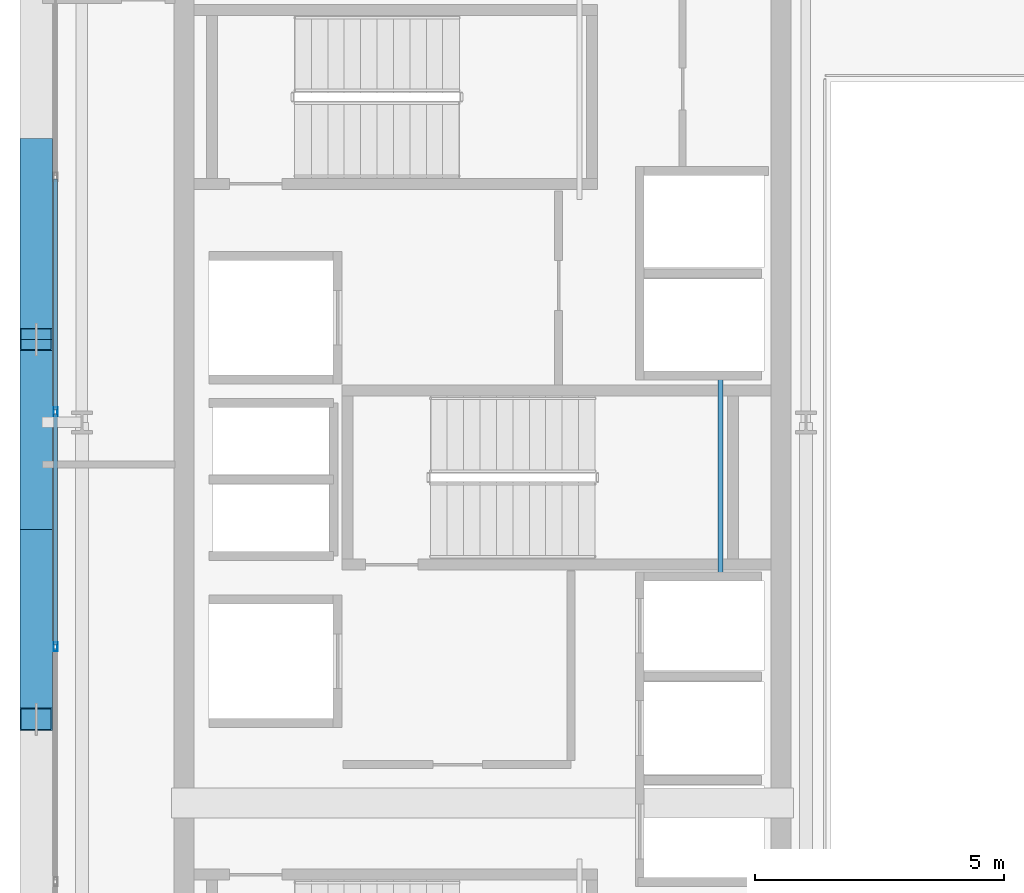
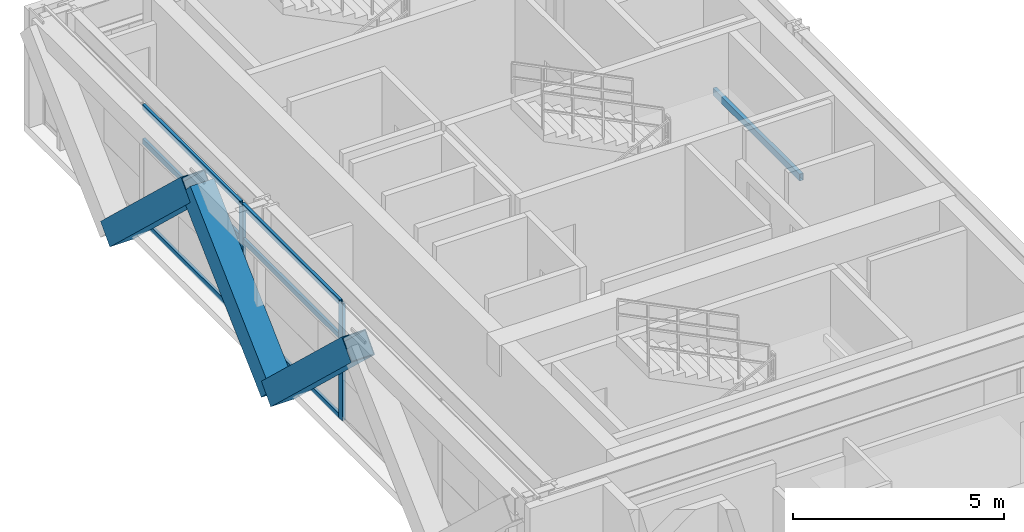
# One storey, part 6 of 27: 11 members, 1 beam, 1 element without a shape of its own.
"""IFC4 building model written with IfcOpenShell, lengths in metres."""

from ifc_helpers import new_model, si_unit, direction, frame, origin, origin_2d, place, context, subcontext, project, spatial, hollow_rectangle, extrude, source, transform, mapped, material, layer, layer_set, material_profile, profile_set, type_object, element, aggregate, save


model = new_model("IFC4")

# Units and contexts
model_context = context("Model", 3, precision=1e-05, world=origin(), true_north=direction((0.0, 1.0)))
body_context = subcontext(model_context, "Body", "Model", "MODEL_VIEW")
ifc_project = project(units=[si_unit("LENGTHUNIT", "METRE"), si_unit("AREAUNIT", "SQUARE_METRE"), si_unit("VOLUMEUNIT", "CUBIC_METRE"), si_unit("PLANEANGLEUNIT", "RADIAN"), si_unit("MASSUNIT", "GRAM", prefix="KILO")], contexts=[model_context])

# Site, building, storey
site_placement = place(None, origin())
site = spatial("IfcSite", under=ifc_project, at=site_placement, CompositionType="ELEMENT")
building_placement = place(site_placement, origin())
building = spatial("IfcBuilding", under=site, at=building_placement, Name="Ocotamira Hotel", CompositionType="ELEMENT")
storey_placement = place(building_placement, frame((0.0, 0.0, 232.800048828125)))
storey = spatial("IfcBuildingStorey", under=building, at=storey_placement, Name="L58", CompositionType="ELEMENT", Elevation=232.800048828125)

# Beam
ifc_material_1 = material(Name="Steel ASTM A500 Grade C", Category="steel")
ifc_material_profile_1 = material_profile(ifc_material_1, hollow_rectangle(XDim=0.10009765625, YDim=0.199951171875, WallThickness=0.008056640625, at=origin_2d()), Name="HSS200X100X8")
ifc_profile_set_1 = profile_set([ifc_material_profile_1], Name="Steel ASTM A500 Grade C")
beam_type = type_object("IfcBeamType", Name="BM-STLDG-HSS200", PredefinedType="BEAM", material=ifc_profile_set_1)
shared_shape_1 = source(origin(), body_context, "Body", "SweptSolid", [
    extrude(hollow_rectangle(XDim=0.10009765625, YDim=0.199951171875, WallThickness=0.008056640625, at=origin_2d()), origin(), (0.0, 0.0, 1.0), 4.1201171875),
])
beam_placement = place(storey_placement, frame((21.780029296875, 24.97998046875, 1.5), z_axis=(0.0, 1.0, 0.0), x_axis=(-1.0, 0.0, 0.0)))
element("IfcBeam", 1, at=beam_placement, inside=storey, type_object=beam_type, Name="L58 Stair ST-3 Landing Bearer 1", PredefinedType="BEAM", context=body_context, shape_type="MappedRepresentation", body=[
    mapped(shared_shape_1, transform((0.0, 0.0, 0.0), scale=1.0)),
])

# Members
ifc_material_2 = material(Name="Pale-metal coated steel ASTM A913 Grade 65", Category="steel")
ifc_material_profile_2 = material_profile(ifc_material_2, hollow_rectangle(XDim=0.64990234375, YDim=0.64990234375, WallThickness=0.02197265625, at=origin_2d()), Name="BOX650X650X22")
ifc_profile_set_2 = profile_set([ifc_material_profile_2], Name="Pale-metal coated steel ASTM A913 Grade 65")
member_type_1 = type_object("IfcMemberType", Name="MEM-EXO-BOX650", PredefinedType="BRACE", material=ifc_profile_set_2)
shared_shape_2 = source(origin(), body_context, "Body", "SweptSolid", [
    extrude(hollow_rectangle(XDim=0.64990234375, YDim=0.64990234375, WallThickness=0.02197265625, at=origin_2d()), origin(), (0.0, 0.0, 1.0), 5.24658203125),
])
for number, where, z_axis, x_axis, name in (
    (2, (8.030029296875, 26.0, -0.469970703125), (0.0, -0.72746596067, 0.686143772154), (1.0, 0.0, 0.0), "L58 Exoskeleton Diagrid W1.1"),
    (3, (8.030029296875, 26.0, -0.469970703125), (0.0, 0.72746596067, 0.686143772154), (-1.0, 0.0, 0.0), "L58 Exoskeleton Diagrid W1.2"),
    (4, (8.030029296875, 33.63330078125, -0.469970703125), (0.0, -0.72746596067, 0.686143772154), (1.0, 0.0, 0.0), "L58 Exoskeleton Diagrid W2.1"),
):
    element("IfcMember", number, at=place(storey_placement, frame(where, z_axis=z_axis, x_axis=x_axis)), inside=storey, type_object=member_type_1, Name=name, PredefinedType="BRACE", context=body_context, shape_type="MappedRepresentation", body=[
        mapped(shared_shape_2, transform((0.0, 0.0, 0.0), scale=1.0)),
    ])

# Curtain wall, members
ifc_material_3 = material(Name="Anodised pale-metal aluminium and solar glass", Category="aluminium")
ifc_layer = layer(ifc_material_3, 0.239990234375)
ifc_layer_set = layer_set([ifc_layer], Name="Anodised pale-metal aluminium and solar glass")
curtain_wall_type = type_object("IfcCurtainWallType", Name="CW-SYS5-SKY", PredefinedType="NOTDEFINED", material=ifc_layer_set)
curtain_wall_placement = place(storey_placement, origin())
curtain_wall = element("IfcCurtainWall", 5, at=curtain_wall_placement, inside=storey, type_object=curtain_wall_type, Name="L58 Curtain Wall CW-5 CW-L58-W", PredefinedType="NOTDEFINED")
ifc_material_4 = material(Name="Anodised pale-metal aluminium 6063-T6", Category="aluminium")
ifc_material_profile_3 = material_profile(ifc_material_4, hollow_rectangle(XDim=0.080078125, YDim=0.179931640625, WallThickness=0.006103515625, at=origin_2d()), Name="HSS180X80X6")
ifc_profile_set_3 = profile_set([ifc_material_profile_3], Name="Anodised pale-metal aluminium 6063-T6")
member_type_2 = type_object("IfcMemberType", Name="CWM-180X75", PredefinedType="MULLION", material=ifc_profile_set_3)
shared_shape_3 = source(origin(), body_context, "Body", "SweptSolid", [
    extrude(hollow_rectangle(XDim=0.080078125, YDim=0.179931640625, WallThickness=0.006103515625, at=origin_2d()), origin(), (0.0, 0.0, 1.0), 3.3798828125),
])
member_1_placement = place(storey_placement, frame((8.419921875, 23.639892578125, 0.0), z_axis=(0.0, 0.0, 1.0), x_axis=(-1.0, 0.0, 0.0)))
member_1 = element("IfcMember", 6, at=member_1_placement, type_object=member_type_2, Name="CW-5 mullion 3", PredefinedType="MULLION", context=body_context, shape_type="MappedRepresentation", body=[
    mapped(shared_shape_3, transform((0.0, 0.0, 0.0), scale=1.0)),
])
member_2_placement = place(storey_placement, frame((8.419921875, 28.360107421875, 0.0), z_axis=(0.0, 0.0, 1.0), x_axis=(-1.0, 0.0, 0.0)))
member_2 = element("IfcMember", 7, at=member_2_placement, type_object=member_type_2, Name="CW-5 mullion 4", PredefinedType="MULLION", context=body_context, shape_type="MappedRepresentation", body=[
    mapped(shared_shape_3, transform((0.0, 0.0, 0.0), scale=1.0)),
])
ifc_material_profile_4 = material_profile(ifc_material_4, hollow_rectangle(XDim=0.074951171875, YDim=0.14990234375, WallThickness=0.006103515625, at=origin_2d()), Name="HSS150X75X6")
ifc_profile_set_4 = profile_set([ifc_material_profile_4], Name="Anodised pale-metal aluminium 6063-T6")
member_type_3 = type_object("IfcMemberType", Name="CWT-150X75", PredefinedType="USERDEFINED", material=ifc_profile_set_4)
shared_shape_4 = source(origin(), body_context, "Body", "SweptSolid", [
    extrude(hollow_rectangle(XDim=0.074951171875, YDim=0.14990234375, WallThickness=0.006103515625, at=origin_2d()), origin(), (0.0, 0.0, 1.0), 4.64013671875),
])
member_3_placement = place(storey_placement, frame((8.419921875, 23.679931640625, 0.037353515625), z_axis=(0.0, 1.0, 0.0), x_axis=(-1.0, 0.0, 0.0)))
member_3 = element("IfcMember", 8, at=member_3_placement, type_object=member_type_3, Name="CW-5 transom 3.1", ObjectType="TRANSOM", PredefinedType="USERDEFINED", context=body_context, shape_type="MappedRepresentation", body=[
    mapped(shared_shape_4, transform((0.0, 0.0, 0.0), scale=1.0)),
])
member_4_placement = place(storey_placement, frame((8.419921875, 23.679931640625, 2.349853515625), z_axis=(0.0, 1.0, 0.0), x_axis=(-1.0, 0.0, 0.0)))
member_4 = element("IfcMember", 9, at=member_4_placement, type_object=member_type_3, Name="CW-5 transom 3.2", ObjectType="TRANSOM", PredefinedType="USERDEFINED", context=body_context, shape_type="MappedRepresentation", body=[
    mapped(shared_shape_4, transform((0.0, 0.0, 0.0), scale=1.0)),
])
member_5_placement = place(storey_placement, frame((8.419921875, 23.679931640625, 3.342529296875), z_axis=(0.0, 1.0, 0.0), x_axis=(-1.0, 0.0, 0.0)))
member_5 = element("IfcMember", 10, at=member_5_placement, type_object=member_type_3, Name="CW-5 transom 3.3", ObjectType="TRANSOM", PredefinedType="USERDEFINED", context=body_context, shape_type="MappedRepresentation", body=[
    mapped(shared_shape_4, transform((0.0, 0.0, 0.0), scale=1.0)),
])
member_6_placement = place(storey_placement, frame((8.419921875, 28.39990234375, 0.037353515625), z_axis=(0.0, 1.0, 0.0), x_axis=(-1.0, 0.0, 0.0)))
member_6 = element("IfcMember", 11, at=member_6_placement, type_object=member_type_3, Name="CW-5 transom 4.1", ObjectType="TRANSOM", PredefinedType="USERDEFINED", context=body_context, shape_type="MappedRepresentation", body=[
    mapped(shared_shape_4, transform((0.0, 0.0, 0.0), scale=1.0)),
])
member_7_placement = place(storey_placement, frame((8.419921875, 28.39990234375, 2.349853515625), z_axis=(0.0, 1.0, 0.0), x_axis=(-1.0, 0.0, 0.0)))
member_7 = element("IfcMember", 12, at=member_7_placement, type_object=member_type_3, Name="CW-5 transom 4.2", ObjectType="TRANSOM", PredefinedType="USERDEFINED", context=body_context, shape_type="MappedRepresentation", body=[
    mapped(shared_shape_4, transform((0.0, 0.0, 0.0), scale=1.0)),
])
member_8_placement = place(storey_placement, frame((8.419921875, 28.39990234375, 3.342529296875), z_axis=(0.0, 1.0, 0.0), x_axis=(-1.0, 0.0, 0.0)))
member_8 = element("IfcMember", 13, at=member_8_placement, type_object=member_type_3, Name="CW-5 transom 4.3", ObjectType="TRANSOM", PredefinedType="USERDEFINED", context=body_context, shape_type="MappedRepresentation", body=[
    mapped(shared_shape_4, transform((0.0, 0.0, 0.0), scale=1.0)),
])
aggregate(curtain_wall, [member_1, member_2, member_3, member_4, member_5, member_6, member_7, member_8])

save(model, "model.ifc")
